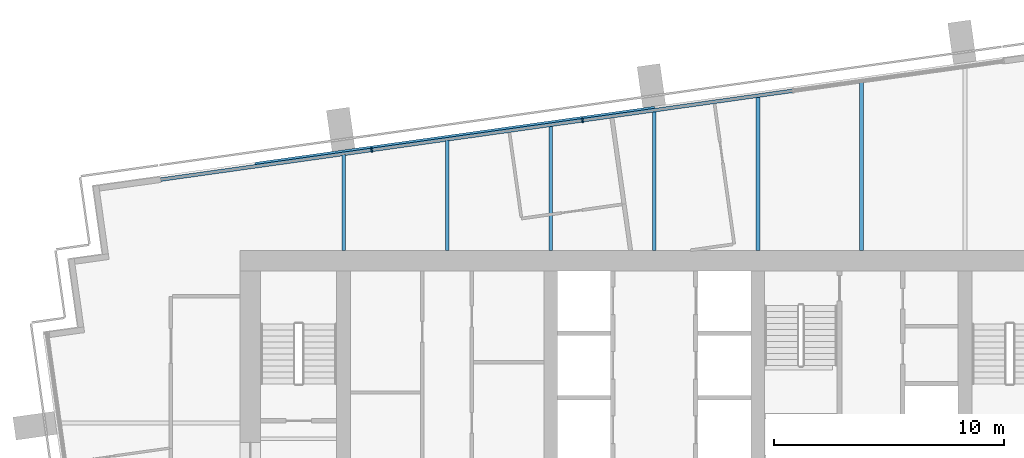
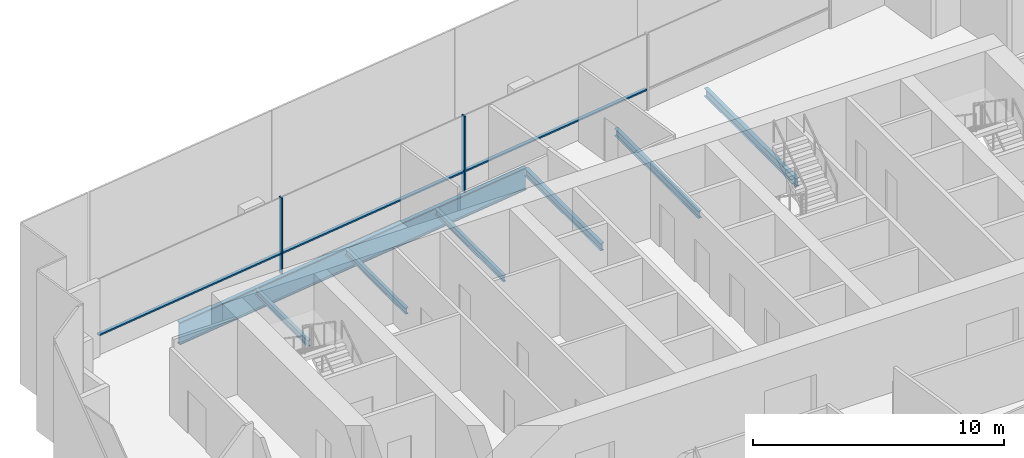
# One storey, part 5 of 15: 7 beams, 5 members, 1 element without a shape of its own.
"""IFC4 building model written with IfcOpenShell, lengths in metres."""

from ifc_helpers import new_model, si_unit, direction, frame, origin, origin_2d, place, context, subcontext, project, spatial, rectangle, i_section, extrude, material, layer, layer_set, material_profile, profile_set, type_object, element, aggregate, save


model = new_model("IFC4")

# Units and contexts
model_context = context("Model", 3, precision=1e-05, world=origin(), true_north=direction((0.0, 1.0)))
body_context = subcontext(model_context, "Body", "Model", "MODEL_VIEW")
ifc_project = project(units=[si_unit("LENGTHUNIT", "METRE"), si_unit("AREAUNIT", "SQUARE_METRE"), si_unit("VOLUMEUNIT", "CUBIC_METRE"), si_unit("PLANEANGLEUNIT", "RADIAN"), si_unit("MASSUNIT", "GRAM", prefix="KILO")], contexts=[model_context])

# Site, building, storey
site_placement = place(None, origin())
site = spatial("IfcSite", under=ifc_project, at=site_placement, CompositionType="ELEMENT")
building_placement = place(site_placement, origin())
building = spatial("IfcBuilding", under=site, at=building_placement, Name="Rattan Terrace Tower", CompositionType="ELEMENT")
storey_placement = place(building_placement, frame((0.0, 0.0, 278.5)))
storey = spatial("IfcBuildingStorey", under=building, at=storey_placement, Name="L64", CompositionType="ELEMENT", Elevation=278.5)

# Beams
ifc_material_1 = material(Name="Steel S460", Category="steel")
ifc_material_profile_1 = material_profile(ifc_material_1, i_section(OverallWidth=0.179931640625, OverallDepth=1.10009765625, WebThickness=0.01611328125, FlangeThickness=0.050048828125, at=origin_2d()), Name="PG 1100x180-16-50")
ifc_profile_set_1 = profile_set([ifc_material_profile_1], Name="Steel S460")
beam_type_1 = type_object("IfcBeamType", Name="Frame edge girder PG 1100x180-16-50", PredefinedType="SPANDREL", material=ifc_profile_set_1)
beam_1_placement = place(storey_placement, frame((-17.347900390625, 11.22900390625, -0.75), z_axis=(0.990275473288, 0.139120404699, 0.0), x_axis=(-0.139120404699, 0.990275473288, 0.0)))
element("IfcBeam", 1, at=beam_1_placement, inside=storey, type_object=beam_type_1, Name="gdr-L64-005", PredefinedType="SPANDREL", context=body_context, shape_type="SweptSolid", body=[
    extrude(i_section(OverallWidth=0.179931640625, OverallDepth=1.10009765625, WebThickness=0.01611328125, FlangeThickness=0.050048828125, at=origin_2d()), origin(), (0.0, 0.0, 1.0), 17.53125),
])
ifc_material_2 = material(Name="Steel S355", Category="steel")
ifc_material_profile_2 = material_profile(ifc_material_2, i_section(OverallWidth=0.14990234375, OverallDepth=0.300048828125, WebThickness=0.007080078125, FlangeThickness=0.0107421875, FilletRadius=0.014892578125, at=origin_2d()), Name="IPE 300")
ifc_profile_set_2 = profile_set([ifc_material_profile_2], Name="Steel S355")
beam_type_2 = type_object("IfcBeamType", Name="Frame floor beam IPE 300", PredefinedType="JOIST", material=ifc_profile_set_2)
beam_2_placement = place(storey_placement, frame((-13.5, 7.5, -0.35009765625), z_axis=(0.0, 1.0, 0.0), x_axis=(-1.0, 0.0, 0.0)))
element("IfcBeam", 2, at=beam_2_placement, inside=storey, type_object=beam_type_2, Name="bm-L64-015", PredefinedType="JOIST", context=body_context, shape_type="SweptSolid", body=[
    extrude(i_section(OverallWidth=0.14990234375, OverallDepth=0.300048828125, WebThickness=0.007080078125, FlangeThickness=0.0107421875, FilletRadius=0.014892578125, at=origin_2d()), origin(), (0.0, 0.0, 1.0), 4.16796875),
])
beam_3_placement = place(storey_placement, frame((-9.0, 7.5, -0.35009765625), z_axis=(0.0, 1.0, 0.0), x_axis=(-1.0, 0.0, 0.0)))
element("IfcBeam", 3, at=beam_3_placement, inside=storey, type_object=beam_type_2, Name="bm-L64-016", PredefinedType="JOIST", context=body_context, shape_type="SweptSolid", body=[
    extrude(i_section(OverallWidth=0.14990234375, OverallDepth=0.300048828125, WebThickness=0.007080078125, FlangeThickness=0.0107421875, FilletRadius=0.014892578125, at=origin_2d()), origin(), (0.0, 0.0, 1.0), 4.800048828125),
])
beam_4_placement = place(storey_placement, frame((-4.5, 7.5, -0.35009765625), z_axis=(0.0, 1.0, 0.0), x_axis=(-1.0, 0.0, 0.0)))
element("IfcBeam", 4, at=beam_4_placement, inside=storey, type_object=beam_type_2, Name="bm-L64-017", PredefinedType="JOIST", context=body_context, shape_type="SweptSolid", body=[
    extrude(i_section(OverallWidth=0.14990234375, OverallDepth=0.300048828125, WebThickness=0.007080078125, FlangeThickness=0.0107421875, FilletRadius=0.014892578125, at=origin_2d()), origin(), (0.0, 0.0, 1.0), 5.43310546875),
])
ifc_material_3 = material(Name="Steel S355", Category="steel")
ifc_material_profile_3 = material_profile(ifc_material_3, i_section(OverallWidth=0.169921875, OverallDepth=0.360107421875, WebThickness=0.008056640625, FlangeThickness=0.0126953125, FilletRadius=0.01806640625, at=origin_2d()), Name="IPE 360")
ifc_profile_set_3 = profile_set([ifc_material_profile_3], Name="Steel S355")
beam_type_3 = type_object("IfcBeamType", Name="Frame floor beam IPE 360", PredefinedType="JOIST", material=ifc_profile_set_3)
beam_5_placement = place(storey_placement, frame((0.0, 7.5, -0.3798828125), z_axis=(0.0, 1.0, 0.0), x_axis=(-1.0, 0.0, 0.0)))
element("IfcBeam", 5, at=beam_5_placement, inside=storey, type_object=beam_type_3, Name="bm-L64-018", PredefinedType="JOIST", context=body_context, shape_type="SweptSolid", body=[
    extrude(i_section(OverallWidth=0.169921875, OverallDepth=0.360107421875, WebThickness=0.008056640625, FlangeThickness=0.0126953125, FilletRadius=0.01806640625, at=origin_2d()), origin(), (0.0, 0.0, 1.0), 6.06298828125),
])
beam_6_placement = place(storey_placement, frame((4.5, 7.5, -0.3798828125), z_axis=(0.0, 1.0, 0.0), x_axis=(-1.0, 0.0, 0.0)))
element("IfcBeam", 6, at=beam_6_placement, inside=storey, type_object=beam_type_3, Name="bm-L64-019", PredefinedType="JOIST", context=body_context, shape_type="SweptSolid", body=[
    extrude(i_section(OverallWidth=0.169921875, OverallDepth=0.360107421875, WebThickness=0.008056640625, FlangeThickness=0.0126953125, FilletRadius=0.01806640625, at=origin_2d()), origin(), (0.0, 0.0, 1.0), 6.696044921875),
])
ifc_material_4 = material(Name="Steel S355", Category="steel")
ifc_material_profile_4 = material_profile(ifc_material_4, i_section(OverallWidth=0.179931640625, OverallDepth=0.39990234375, WebThickness=0.008544921875, FlangeThickness=0.013427734375, FilletRadius=0.02099609375, at=origin_2d()), Name="IPE 400")
ifc_profile_set_4 = profile_set([ifc_material_profile_4], Name="Steel S355")
beam_type_4 = type_object("IfcBeamType", Name="Frame floor beam IPE 400", PredefinedType="JOIST", material=ifc_profile_set_4)
beam_7_placement = place(storey_placement, frame((9.0, 7.5, -0.39990234375), z_axis=(0.0, 1.0, 0.0), x_axis=(-1.0, 0.0, 0.0)))
element("IfcBeam", 7, at=beam_7_placement, inside=storey, type_object=beam_type_4, Name="bm-L64-020", PredefinedType="JOIST", context=body_context, shape_type="SweptSolid", body=[
    extrude(i_section(OverallWidth=0.179931640625, OverallDepth=0.39990234375, WebThickness=0.008544921875, FlangeThickness=0.013427734375, FilletRadius=0.02099609375, at=origin_2d()), origin(), (0.0, 0.0, 1.0), 7.327880859375),
])

# Curtain wall, members
ifc_material_5 = material(Name="Aluminium and laminated glass", Category="aluminium")
ifc_layer = layer(ifc_material_5, 0.199951171875)
ifc_layer_set = layer_set([ifc_layer], Name="High-Zone Unitised Curtain Wall")
curtain_wall_type = type_object("IfcCurtainWallType", Name="High-Zone Unitised Curtain Wall", PredefinedType="NOTDEFINED", material=ifc_layer_set)
curtain_wall_placement = place(storey_placement, origin())
curtain_wall = element("IfcCurtainWall", 8, at=curtain_wall_placement, inside=storey, type_object=curtain_wall_type, Name="High-zone curtain wall L64-2", PredefinedType="NOTDEFINED")
ifc_material_6 = material(Name="Aluminium", Category="aluminium")
ifc_material_profile_5 = material_profile(ifc_material_6, rectangle(XDim=0.070068359375, YDim=0.199951171875, at=origin_2d()), Name="Aluminium 70x200")
ifc_profile_set_5 = profile_set([ifc_material_profile_5], Name="Aluminium")
member_type_1 = type_object("IfcMemberType", Name="High-Zone CW Mullion 70x200", PredefinedType="MULLION", material=ifc_profile_set_5)
member_1_placement = place(storey_placement, frame((-3.1181640625, 13.14697265625, 0.0), z_axis=(0.0, 0.0, 1.0), x_axis=(-0.990265894013, -0.139188574079, 0.0)))
member_1 = element("IfcMember", 9, at=member_1_placement, type_object=member_type_1, Name="Mullion cwl-L64-002.3", PredefinedType="MULLION", context=body_context, shape_type="SweptSolid", body=[
    extrude(rectangle(XDim=0.070068359375, YDim=0.199951171875, at=origin_2d()), origin(), (0.0, 0.0, 1.0), 3.699951171875),
])
member_2_placement = place(storey_placement, frame((-12.27734375, 11.859619140625, 0.0), z_axis=(0.0, 0.0, 1.0), x_axis=(-0.990265894013, -0.139188574079, 0.0)))
member_2 = element("IfcMember", 10, at=member_2_placement, type_object=member_type_1, Name="Mullion cwl-L64-002.4", PredefinedType="MULLION", context=body_context, shape_type="SweptSolid", body=[
    extrude(rectangle(XDim=0.070068359375, YDim=0.199951171875, at=origin_2d()), origin(), (0.0, 0.0, 1.0), 3.699951171875),
])
ifc_material_7 = material(Name="Aluminium", Category="aluminium")
ifc_material_profile_6 = material_profile(ifc_material_7, rectangle(XDim=0.159912109375, YDim=0.070068359375, at=origin_2d()), Name="Aluminium 160x70")
ifc_profile_set_6 = profile_set([ifc_material_profile_6], Name="Aluminium")
member_type_2 = type_object("IfcMemberType", Name="High-Zone CW Transom 160x70", PredefinedType="USERDEFINED", material=ifc_profile_set_6)
member_3_placement = place(storey_placement, frame((6.006103515625, 14.429443359375, 1.0), z_axis=(-0.990266147156, -0.139186773067, 0.0), x_axis=(0.139186773067, -0.990266147156, 0.0)))
member_3 = element("IfcMember", 11, at=member_3_placement, type_object=member_type_2, Name="Transom cwl-L64-002.2", ObjectType="TRANSOM", PredefinedType="USERDEFINED", context=body_context, shape_type="SweptSolid", body=[
    extrude(rectangle(XDim=0.159912109375, YDim=0.070068359375, at=origin_2d()), origin(), (0.0, 0.0, 1.0), 9.178955078125),
])
member_4_placement = place(storey_placement, frame((-3.15283203125, 13.14208984375, 1.0), z_axis=(-0.990266662415, -0.139183107123, 0.0), x_axis=(0.139183107123, -0.990266662415, 0.0)))
member_4 = element("IfcMember", 12, at=member_4_placement, type_object=member_type_2, Name="Transom cwl-L64-002.3", ObjectType="TRANSOM", PredefinedType="USERDEFINED", context=body_context, shape_type="SweptSolid", body=[
    extrude(rectangle(XDim=0.159912109375, YDim=0.070068359375, at=origin_2d()), origin(), (0.0, 0.0, 1.0), 9.17919921875),
])
member_5_placement = place(storey_placement, frame((-12.31201171875, 11.854736328125, 1.0), z_axis=(-0.990263767768, -0.139203700545, 0.0), x_axis=(0.139203700545, -0.990263767768, 0.0)))
member_5 = element("IfcMember", 13, at=member_5_placement, type_object=member_type_2, Name="Transom cwl-L64-002.4", ObjectType="TRANSOM", PredefinedType="USERDEFINED", context=body_context, shape_type="SweptSolid", body=[
    extrude(rectangle(XDim=0.159912109375, YDim=0.070068359375, at=origin_2d()), origin(), (0.0, 0.0, 1.0), 9.21826171875),
])
aggregate(curtain_wall, [member_1, member_2, member_3, member_4, member_5])

save(model, "model.ifc")
